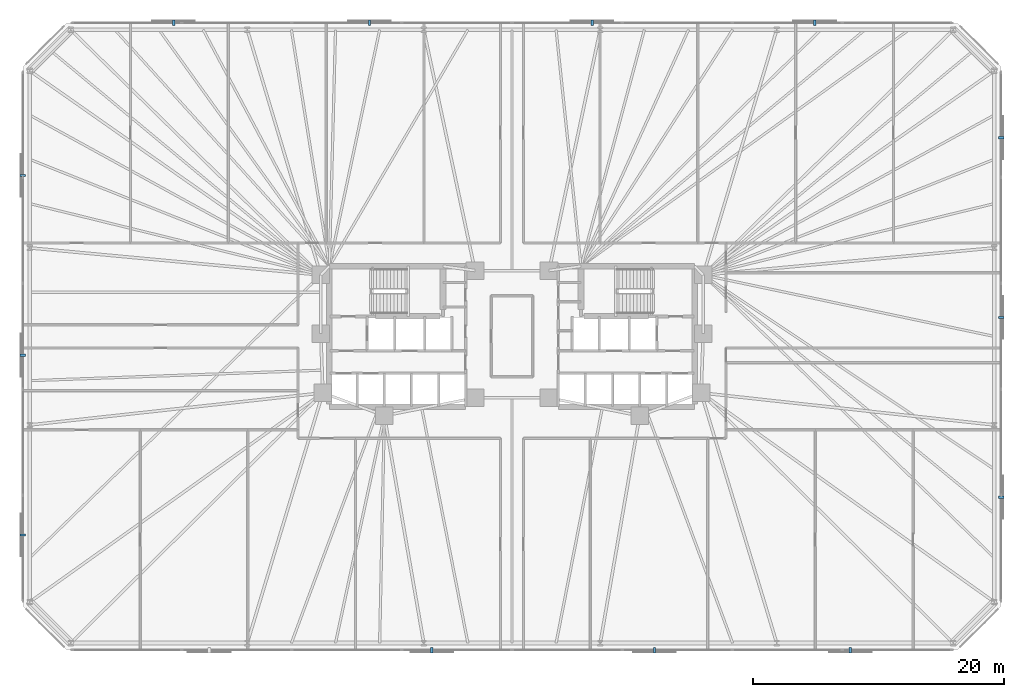
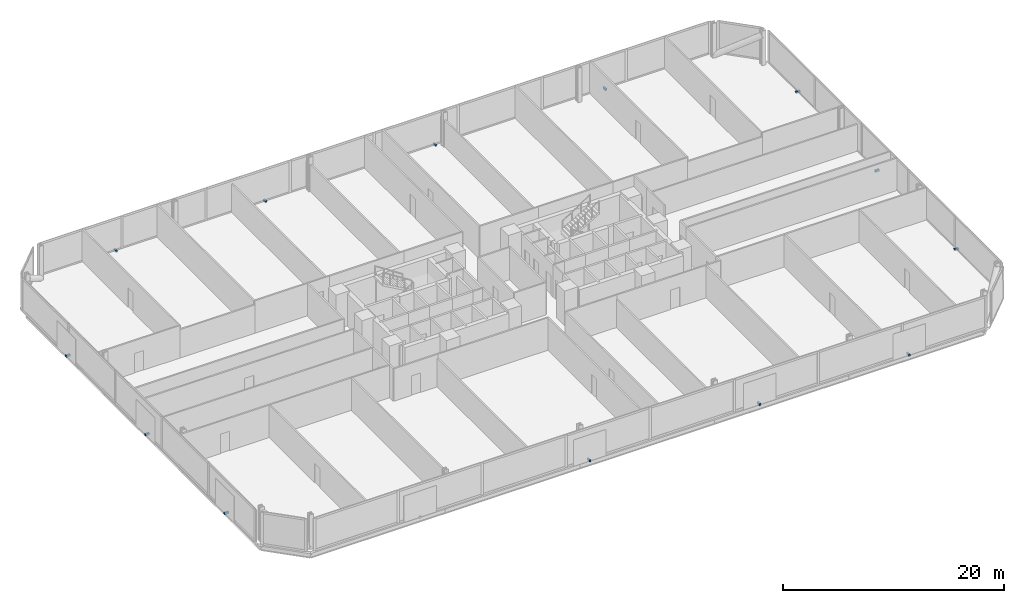
# One storey, part 16 of 17: 13 discrete accessories.
"""IFC4 building model written with IfcOpenShell, lengths in metres."""

from ifc_helpers import new_model, si_unit, direction, frame, origin, origin_2d, place, context, subcontext, project, spatial, rectangle, extrude, material, type_object, element, save


model = new_model("IFC4")

# Units and contexts
model_context = context("Model", 3, precision=1e-05, world=origin(), true_north=direction((0.0, 1.0)))
body_context = subcontext(model_context, "Body", "Model", "MODEL_VIEW")
ifc_project = project(units=[si_unit("LENGTHUNIT", "METRE"), si_unit("AREAUNIT", "SQUARE_METRE"), si_unit("VOLUMEUNIT", "CUBIC_METRE"), si_unit("PLANEANGLEUNIT", "RADIAN"), si_unit("MASSUNIT", "GRAM", prefix="KILO")], contexts=[model_context])

# Site, building, storey
site_placement = place(None, origin())
site = spatial("IfcSite", under=ifc_project, at=site_placement, CompositionType="ELEMENT")
building_placement = place(site_placement, origin())
building = spatial("IfcBuilding", under=site, at=building_placement, Name="Menara Jurai Vektor", CompositionType="ELEMENT")
storey_placement = place(building_placement, frame((0.0, 0.0, 63.60009765625)))
storey = spatial("IfcBuildingStorey", under=building, at=storey_placement, Name="L15", CompositionType="ELEMENT", Elevation=63.60009765625)

# Discrete accessories
ifc_material = material(Name="Steel S355", Category="steel")
discrete_accessory_type = type_object("IfcDiscreteAccessoryType", Name="ENV-ACC-BRACKET", PredefinedType="BRACKET", material=ifc_material)
for number, where, z_axis, x_axis, name in (
    (1, (-6.389892578125, -25.010009765625, -0.1298828125), (0.0, 0.0, 1.0), (1.0, 0.0, 0.0), "Solar Screen Stand-Off Bracket L15-S02"),
    (2, (11.360107421875, -25.010009765625, -0.1298828125), (0.0, 0.0, 1.0), (1.0, 0.0, 0.0), "Solar Screen Stand-Off Bracket L15-S03"),
    (3, (26.97998046875, -25.010009765625, -0.1298828125), (0.0, 0.0, 1.0), (1.0, 0.0, 0.0), "Solar Screen Stand-Off Bracket L15-S04"),
    (4, (39.010009765625, -12.828369140625, -0.1298828125), (0.0, 0.0, 1.0), (0.0, 1.0, 0.0), "Solar Screen Stand-Off Bracket L15-S05"),
    (5, (39.010009765625, 1.5048828125, -0.1298828125), (0.0, 0.0, 1.0), (0.0, 1.0, 0.0), "Solar Screen Stand-Off Bracket L15-S06"),
    (6, (39.010009765625, 15.83837890625, -0.1298828125), (0.0, 0.0, 1.0), (0.0, 1.0, 0.0), "Solar Screen Stand-Off Bracket L15-S07"),
    (7, (24.139892578125, 25.010009765625, -0.1298828125), (0.0, 0.0, 1.0), (-1.0, 0.0, 0.0), "Solar Screen Stand-Off Bracket L15-S08"),
    (8, (6.389892578125, 25.010009765625, -0.1298828125), (0.0, 0.0, 1.0), (-1.0, 0.0, 0.0), "Solar Screen Stand-Off Bracket L15-S09"),
    (9, (-11.360107421875, 25.010009765625, -0.1298828125), (0.0, 0.0, 1.0), (-1.0, 0.0, 0.0), "Solar Screen Stand-Off Bracket L15-S10"),
    (10, (-26.97998046875, 25.010009765625, -0.1298828125), (0.0, 0.0, 1.0), (-1.0, 0.0, 0.0), "Solar Screen Stand-Off Bracket L15-S11"),
    (11, (-39.010009765625, 12.828369140625, -0.1298828125), (0.0, 0.0, 1.0), (0.0, -1.0, 0.0), "Solar Screen Stand-Off Bracket L15-S12"),
    (12, (-39.010009765625, -1.5048828125, -0.1298828125), (0.0, 0.0, 1.0), (0.0, -1.0, 0.0), "Solar Screen Stand-Off Bracket L15-S13"),
    (13, (-39.010009765625, -15.83837890625, -0.1298828125), (0.0, 0.0, 1.0), (0.0, -1.0, 0.0), "Solar Screen Stand-Off Bracket L15-S14"),
):
    element("IfcDiscreteAccessory", number, at=place(storey_placement, frame(where, z_axis=z_axis, x_axis=x_axis)), inside=storey, type_object=discrete_accessory_type, Name=name, PredefinedType="BRACKET", context=body_context, shape_type="SweptSolid", body=[
        extrude(rectangle(XDim=0.179931640625, YDim=0.43994140625, at=origin_2d()), origin(), (0.0, 0.0, 1.0), 0.219970703125),
    ])

save(model, "model.ifc")
